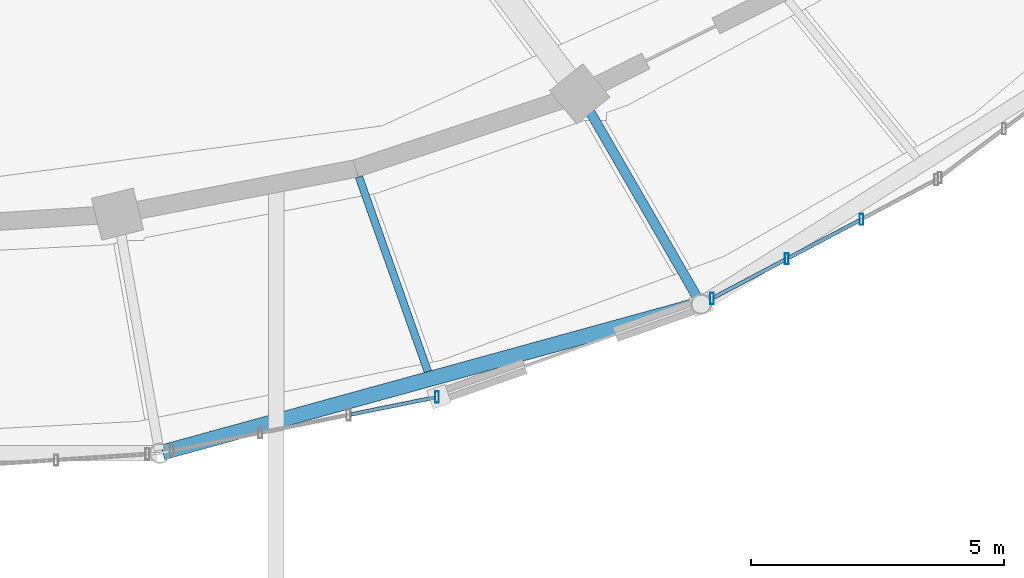
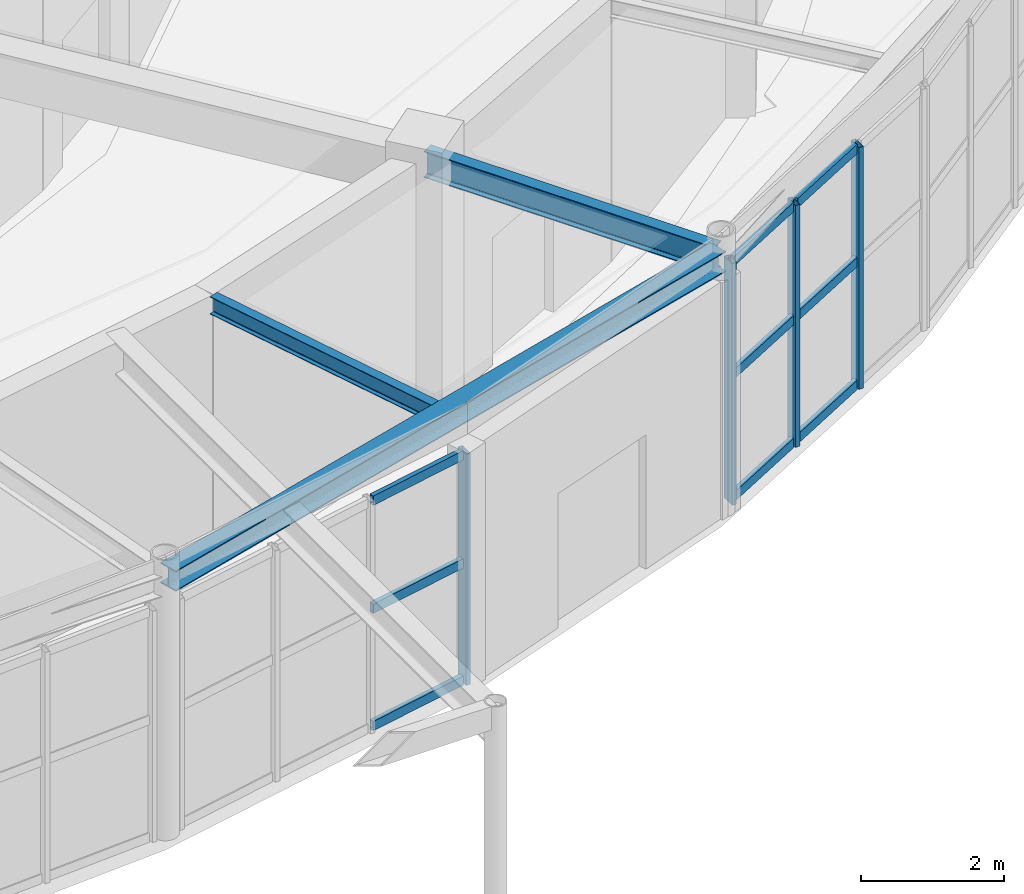
# One storey, part 39 of 108: 13 members, 3 beams, 2 elements without a shape of their own.
"""IFC4 building model written with IfcOpenShell, lengths in metres."""

from ifc_helpers import new_model, si_unit, direction, frame, origin, origin_2d, place, context, subcontext, project, spatial, hollow_rectangle, i_section, extrude, material, material_profile, profile_set, type_object, element, aggregate, save


model = new_model("IFC4")

# Units and contexts
model_context = context("Model", 3, precision=1e-05, world=origin(), true_north=direction((0.0, 1.0)))
body_context = subcontext(model_context, "Body", "Model", "MODEL_VIEW")
ifc_project = project(units=[si_unit("LENGTHUNIT", "METRE"), si_unit("AREAUNIT", "SQUARE_METRE"), si_unit("VOLUMEUNIT", "CUBIC_METRE"), si_unit("PLANEANGLEUNIT", "RADIAN"), si_unit("MASSUNIT", "GRAM", prefix="KILO")], contexts=[model_context])

# Site, building, storey
site_placement = place(None, origin())
site = spatial("IfcSite", under=ifc_project, at=site_placement, CompositionType="ELEMENT")
building_placement = place(site_placement, origin())
building = spatial("IfcBuilding", under=site, at=building_placement, Name="Tarnveldt Headland Concert Hall", CompositionType="ELEMENT")
storey_placement = place(building_placement, origin())
storey = spatial("IfcBuildingStorey", under=building, at=storey_placement, Name="L00", CompositionType="ELEMENT", Elevation=0.0)

# Curtain wall, member
ifc_material_1 = material(Name="Marine-anodised aluminium EN AW-6063-T6", Category="aluminium")
curtain_wall_type = type_object("IfcCurtainWallType", Name="CW-F1", PredefinedType="NOTDEFINED", material=ifc_material_1)
curtain_wall_1_placement = place(storey_placement, origin())
curtain_wall_1 = element("IfcCurtainWall", 1, at=curtain_wall_1_placement, inside=storey, type_object=curtain_wall_type, Name="Curtain wall CW-L00-021", PredefinedType="NOTDEFINED")
ifc_material_profile_1 = material_profile(ifc_material_1, hollow_rectangle(XDim=0.074951171875, YDim=0.219970703125, WallThickness=0.0048828125, at=origin_2d()), Name="ALU MULLION 75x220x5", Category="aluminium")
ifc_profile_set_1 = profile_set([ifc_material_profile_1], Name="Marine-anodised aluminium EN AW-6063-T6")
member_type_1 = type_object("IfcMemberType", Name="ML-200", PredefinedType="MULLION", material=ifc_profile_set_1)
member_1_placement = place(storey_placement, frame((94.67919921875, 31.187744140625, 0.0), z_axis=(0.0, 0.0, 1.0), x_axis=(1.0, 0.0, 0.0)))
member_1 = element("IfcMember", 2, at=member_1_placement, type_object=member_type_1, Name="Mullion CW-L00-021-4", PredefinedType="MULLION", context=body_context, shape_type="SweptSolid", body=[
    extrude(hollow_rectangle(XDim=0.074951171875, YDim=0.219970703125, WallThickness=0.0048828125, at=origin_2d()), origin(), (0.0, 0.0, 1.0), 3.9580078125),
])

# Curtain wall, members
curtain_wall_2_placement = place(storey_placement, origin())
curtain_wall_2 = element("IfcCurtainWall", 3, at=curtain_wall_2_placement, inside=storey, type_object=curtain_wall_type, Name="Curtain wall CW-L00-022", PredefinedType="NOTDEFINED")
member_2_placement = place(storey_placement, frame((100.114990234375, 33.136474609375, 0.0), z_axis=(0.0, 0.0, 1.0), x_axis=(1.0, 0.0, 0.0)))
member_2 = element("IfcMember", 4, at=member_2_placement, type_object=member_type_1, Name="Mullion CW-L00-022-1", PredefinedType="MULLION", context=body_context, shape_type="SweptSolid", body=[
    extrude(hollow_rectangle(XDim=0.074951171875, YDim=0.219970703125, WallThickness=0.0048828125, at=origin_2d()), origin(), (0.0, 0.0, 1.0), 4.139892578125),
])
member_3_placement = place(storey_placement, frame((101.592529296875, 33.918701171875, 0.0), z_axis=(0.0, 0.0, 1.0), x_axis=(1.0, 0.0, 0.0)))
member_3 = element("IfcMember", 5, at=member_3_placement, type_object=member_type_1, Name="Mullion CW-L00-022-2", PredefinedType="MULLION", context=body_context, shape_type="SweptSolid", body=[
    extrude(hollow_rectangle(XDim=0.074951171875, YDim=0.219970703125, WallThickness=0.0048828125, at=origin_2d()), origin(), (0.0, 0.0, 1.0), 4.139892578125),
])
member_4_placement = place(storey_placement, frame((103.0703125, 34.701171875, 0.0), z_axis=(0.0, 0.0, 1.0), x_axis=(1.0, 0.0, 0.0)))
member_4 = element("IfcMember", 6, at=member_4_placement, type_object=member_type_1, Name="Mullion CW-L00-022-3", PredefinedType="MULLION", context=body_context, shape_type="SweptSolid", body=[
    extrude(hollow_rectangle(XDim=0.074951171875, YDim=0.219970703125, WallThickness=0.0048828125, at=origin_2d()), origin(), (0.0, 0.0, 1.0), 4.139892578125),
])

# Beams
ifc_material_2 = material(Name="Steel S355", Category="steel")
ifc_material_profile_2 = material_profile(ifc_material_2, i_section(OverallWidth=0.300048828125, OverallDepth=0.35009765625, WebThickness=0.010009765625, FlangeThickness=0.017578125, FilletRadius=0.027099609375, at=origin_2d()), Name="HEA360", Category="steel")
ifc_profile_set_2 = profile_set([ifc_material_profile_2], Name="Steel S355")
beam_type_1 = type_object("IfcBeamType", Name="SB-HEA360", PredefinedType="SPANDREL", material=ifc_profile_set_2)
beam_1_placement = place(storey_placement, frame((89.25341796875, 30.0927734375, 4.344970703125), z_axis=(0.964161617091, 0.265315616065, 0.0), x_axis=(-0.265315616065, 0.964161617091, 0.0)))
element("IfcBeam", 7, at=beam_1_placement, inside=storey, type_object=beam_type_1, Name="Framing beam L00-388", PredefinedType="SPANDREL", context=body_context, shape_type="SweptSolid", body=[
    extrude(i_section(OverallWidth=0.300048828125, OverallDepth=0.35009765625, WebThickness=0.010009765625, FlangeThickness=0.017578125, FilletRadius=0.027099609375, at=origin_2d()), origin(), (0.0, 0.0, 1.0), 10.982421875),
])
ifc_material_profile_3 = material_profile(ifc_material_2, i_section(OverallWidth=0.14990234375, OverallDepth=0.300048828125, WebThickness=0.007080078125, FlangeThickness=0.0107421875, FilletRadius=0.014892578125, at=origin_2d()), Name="IPE300", Category="steel")
ifc_profile_set_3 = profile_set([ifc_material_profile_3], Name="Steel S355")
beam_type_2 = type_object("IfcBeamType", Name="SB-IPE300", PredefinedType="JOIST", material=ifc_profile_set_3)
beam_2_placement = place(storey_placement, frame((93.135009765625, 35.541015625, 4.3701171875), z_axis=(0.33369553072, -0.942680907188, 0.0), x_axis=(0.942680907188, 0.33369553072, 0.0)))
element("IfcBeam", 8, at=beam_2_placement, inside=storey, type_object=beam_type_2, Name="Framing beam L00-390", PredefinedType="JOIST", context=body_context, shape_type="SweptSolid", body=[
    extrude(i_section(OverallWidth=0.14990234375, OverallDepth=0.300048828125, WebThickness=0.007080078125, FlangeThickness=0.0107421875, FilletRadius=0.014892578125, at=origin_2d()), origin(), (0.0, 0.0, 1.0), 4.083984375),
])
ifc_material_profile_4 = material_profile(ifc_material_2, i_section(OverallWidth=0.18994140625, OverallDepth=0.449951171875, WebThickness=0.009521484375, FlangeThickness=0.0146484375, FilletRadius=0.02099609375, at=origin_2d()), Name="IPE450", Category="steel")
ifc_profile_set_4 = profile_set([ifc_material_profile_4], Name="Steel S355")
beam_type_3 = type_object("IfcBeamType", Name="SB-IPE450", PredefinedType="BEAM", material=ifc_profile_set_4)
beam_3_placement = place(storey_placement, frame((97.52001953125, 37.14501953125, 4.294921875), z_axis=(0.500016218704, -0.866016039709, 0.0), x_axis=(0.866016039709, 0.500016218704, 0.0)))
element("IfcBeam", 9, at=beam_3_placement, inside=storey, type_object=beam_type_3, Name="Framing beam L00-392", PredefinedType="BEAM", context=body_context, shape_type="SweptSolid", body=[
    extrude(i_section(OverallWidth=0.18994140625, OverallDepth=0.449951171875, WebThickness=0.009521484375, FlangeThickness=0.0146484375, FilletRadius=0.02099609375, at=origin_2d()), origin(), (0.0, 0.0, 1.0), 4.699951171875),
])

# Member
ifc_material_profile_5 = material_profile(ifc_material_1, hollow_rectangle(XDim=0.074951171875, YDim=0.159912109375, WallThickness=0.00390625, at=origin_2d()), Name="ALU TRANSOM 75x160x4", Category="aluminium")
ifc_profile_set_5 = profile_set([ifc_material_profile_5], Name="Marine-anodised aluminium EN AW-6063-T6")
member_type_2 = type_object("IfcMemberType", Name="TR-160", PredefinedType="MEMBER", material=ifc_profile_set_5)
member_5_placement = place(storey_placement, frame((92.979248046875, 30.84326171875, 0.050048828125), z_axis=(0.980070264474, 0.198651143198, 0.0), x_axis=(-0.198651143198, 0.980070264474, 0.0)))
member_5 = element("IfcMember", 10, at=member_5_placement, type_object=member_type_2, Name="Transom CW-L00-021-3-1", PredefinedType="MEMBER", context=body_context, shape_type="SweptSolid", body=[
    extrude(hollow_rectangle(XDim=0.074951171875, YDim=0.159912109375, WallThickness=0.00390625, at=origin_2d()), origin(), (0.0, 0.0, 1.0), 1.68505859375),
])

member_6_placement = place(storey_placement, frame((92.979248046875, 30.84326171875, 2.05810546875), z_axis=(0.980070264474, 0.198651143198, 0.0), x_axis=(-0.198651143198, 0.980070264474, 0.0)))
member_6 = element("IfcMember", 11, at=member_6_placement, type_object=member_type_2, Name="Transom CW-L00-021-3-2", PredefinedType="MEMBER", context=body_context, shape_type="SweptSolid", body=[
    extrude(hollow_rectangle(XDim=0.074951171875, YDim=0.159912109375, WallThickness=0.00390625, at=origin_2d()), origin(), (0.0, 0.0, 1.0), 1.68505859375),
])

member_7_placement = place(storey_placement, frame((92.979248046875, 30.84326171875, 3.907958984375), z_axis=(0.980070264474, 0.198651143198, 0.0), x_axis=(-0.198651143198, 0.980070264474, 0.0)))
member_7 = element("IfcMember", 12, at=member_7_placement, type_object=member_type_2, Name="Transom CW-L00-021-3-3", PredefinedType="MEMBER", context=body_context, shape_type="SweptSolid", body=[
    extrude(hollow_rectangle(XDim=0.074951171875, YDim=0.159912109375, WallThickness=0.00390625, at=origin_2d()), origin(), (0.0, 0.0, 1.0), 1.68505859375),
])

aggregate(curtain_wall_1, [member_1, member_5, member_6, member_7])

member_8_placement = place(storey_placement, frame((100.15869140625, 33.15966796875, 0.050048828125), z_axis=(0.883818119323, 0.467830665901, 0.0), x_axis=(-0.467830665901, 0.883818119323, 0.0)))
member_8 = element("IfcMember", 13, at=member_8_placement, type_object=member_type_2, Name="Transom CW-L00-022-1-1", PredefinedType="MEMBER", context=body_context, shape_type="SweptSolid", body=[
    extrude(hollow_rectangle(XDim=0.074951171875, YDim=0.159912109375, WallThickness=0.00390625, at=origin_2d()), origin(), (0.0, 0.0, 1.0), 1.572998046875),
])

member_9_placement = place(storey_placement, frame((100.15869140625, 33.15966796875, 2.15283203125), z_axis=(0.883818119323, 0.467830665901, 0.0), x_axis=(-0.467830665901, 0.883818119323, 0.0)))
member_9 = element("IfcMember", 14, at=member_9_placement, type_object=member_type_2, Name="Transom CW-L00-022-1-2", PredefinedType="MEMBER", context=body_context, shape_type="SweptSolid", body=[
    extrude(hollow_rectangle(XDim=0.074951171875, YDim=0.159912109375, WallThickness=0.00390625, at=origin_2d()), origin(), (0.0, 0.0, 1.0), 1.572998046875),
])

member_10_placement = place(storey_placement, frame((100.15869140625, 33.15966796875, 4.090087890625), z_axis=(0.883818119323, 0.467830665901, 0.0), x_axis=(-0.467830665901, 0.883818119323, 0.0)))
member_10 = element("IfcMember", 15, at=member_10_placement, type_object=member_type_2, Name="Transom CW-L00-022-1-3", PredefinedType="MEMBER", context=body_context, shape_type="SweptSolid", body=[
    extrude(hollow_rectangle(XDim=0.074951171875, YDim=0.159912109375, WallThickness=0.00390625, at=origin_2d()), origin(), (0.0, 0.0, 1.0), 1.572998046875),
])

member_11_placement = place(storey_placement, frame((101.63623046875, 33.94189453125, 0.050048828125), z_axis=(0.883787916347, 0.467887720419, 0.0), x_axis=(-0.467887720419, 0.883787916347, 0.0)))
member_11 = element("IfcMember", 16, at=member_11_placement, type_object=member_type_2, Name="Transom CW-L00-022-2-1", PredefinedType="MEMBER", context=body_context, shape_type="SweptSolid", body=[
    extrude(hollow_rectangle(XDim=0.074951171875, YDim=0.159912109375, WallThickness=0.00390625, at=origin_2d()), origin(), (0.0, 0.0, 1.0), 1.5732421875),
])

member_12_placement = place(storey_placement, frame((101.63623046875, 33.94189453125, 2.15283203125), z_axis=(0.883787916347, 0.467887720419, 0.0), x_axis=(-0.467887720419, 0.883787916347, 0.0)))
member_12 = element("IfcMember", 17, at=member_12_placement, type_object=member_type_2, Name="Transom CW-L00-022-2-2", PredefinedType="MEMBER", context=body_context, shape_type="SweptSolid", body=[
    extrude(hollow_rectangle(XDim=0.074951171875, YDim=0.159912109375, WallThickness=0.00390625, at=origin_2d()), origin(), (0.0, 0.0, 1.0), 1.5732421875),
])

member_13_placement = place(storey_placement, frame((101.63623046875, 33.94189453125, 4.090087890625), z_axis=(0.883787916347, 0.467887720419, 0.0), x_axis=(-0.467887720419, 0.883787916347, 0.0)))
member_13 = element("IfcMember", 18, at=member_13_placement, type_object=member_type_2, Name="Transom CW-L00-022-2-3", PredefinedType="MEMBER", context=body_context, shape_type="SweptSolid", body=[
    extrude(hollow_rectangle(XDim=0.074951171875, YDim=0.159912109375, WallThickness=0.00390625, at=origin_2d()), origin(), (0.0, 0.0, 1.0), 1.5732421875),
])

aggregate(curtain_wall_2, [member_2, member_3, member_4, member_8, member_9, member_10, member_11, member_12, member_13])

save(model, "model.ifc")
